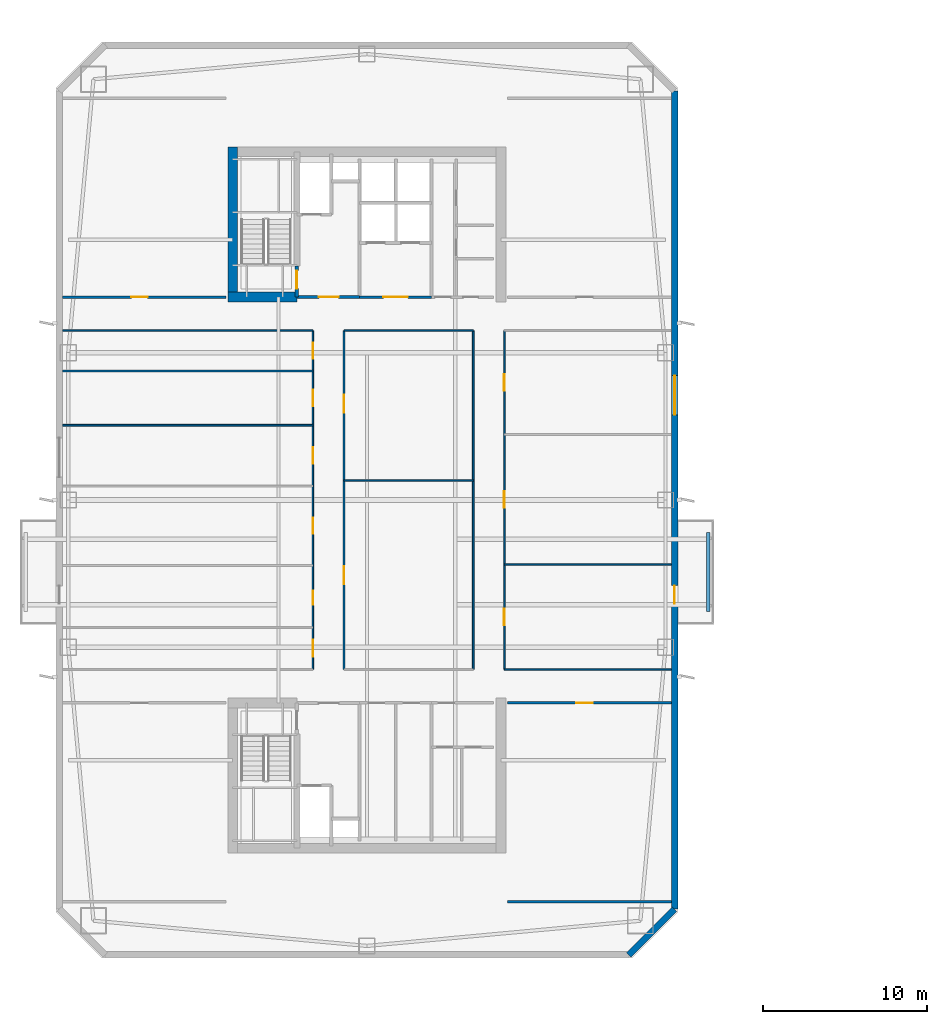
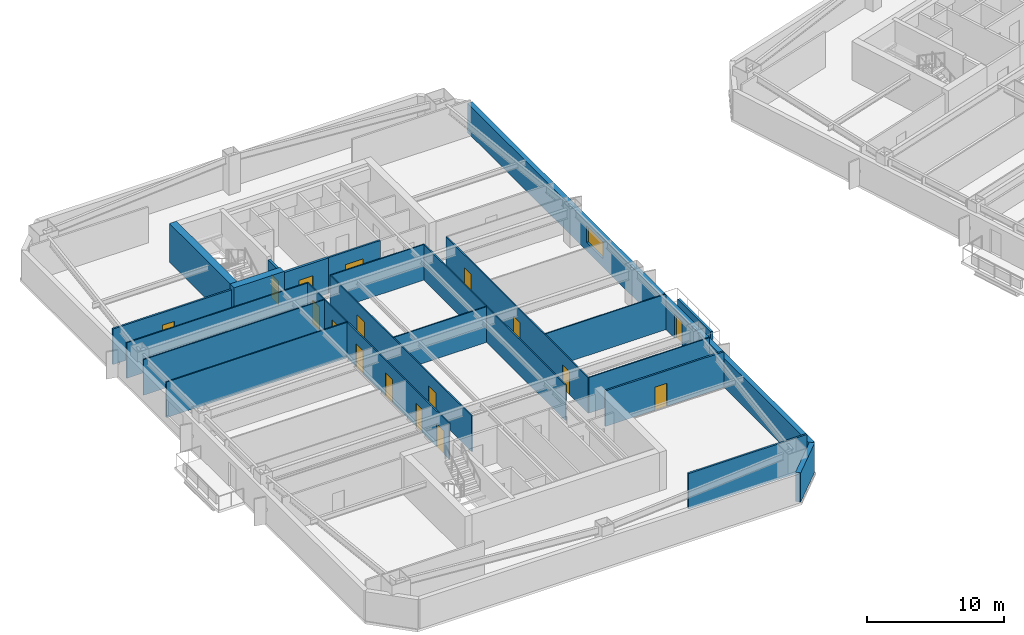
# One storey, part 5 of 16: 22 walls, 17 doors, 1 window, 18 openings.
"""IFC4 building model written with IfcOpenShell, lengths in metres."""

from ifc_helpers import new_model, si_unit, direction, frame, frame_2d, origin, place, context, subcontext, project, spatial, rectangle, extrude, material, layer, layer_set, type_object, element, fill, save


model = new_model("IFC4")

# Units and contexts
model_context = context("Model", 3, precision=1e-05, world=origin(), true_north=direction((0.0, 1.0)))
body_context = subcontext(model_context, "Body", "Model", "MODEL_VIEW")
ifc_project = project(units=[si_unit("LENGTHUNIT", "METRE"), si_unit("AREAUNIT", "SQUARE_METRE"), si_unit("VOLUMEUNIT", "CUBIC_METRE"), si_unit("PLANEANGLEUNIT", "RADIAN"), si_unit("MASSUNIT", "GRAM", prefix="KILO")], contexts=[model_context])

# Site, building, storey
site_placement = place(None, origin())
site = spatial("IfcSite", under=ifc_project, at=site_placement, CompositionType="ELEMENT")
building_placement = place(site_placement, origin())
building = spatial("IfcBuilding", under=site, at=building_placement, Name="Qiaolan Cultural Towers", CompositionType="ELEMENT")
storey_placement = place(building_placement, frame((0.0, 0.0, 110.39990234375)))
storey = spatial("IfcBuildingStorey", under=building, at=storey_placement, Name="L28", CompositionType="ELEMENT", Elevation=110.39990234375)

# Walls
ifc_material_1 = material(Name="Concrete C55", Category="concrete")
ifc_layer_1 = layer(ifc_material_1, 0.60009765625)
ifc_layer_set_1 = layer_set([ifc_layer_1], Name="Concrete C55")
wall_type_1 = type_object("IfcWallType", Name="WL-CORE-600", PredefinedType="SHEAR", material=ifc_layer_set_1)
wall_1_placement = place(storey_placement, frame((21.800048828125, 46.10009765625, 0.0), z_axis=(0.0, 0.0, 1.0), x_axis=(0.0, 1.0, 0.0)))
element("IfcWall", 1, at=wall_1_placement, inside=storey, type_object=wall_type_1, Name="L28 T1-CN West Core Shear Wall", PredefinedType="SHEAR", context=body_context, shape_type="SweptSolid", body=[
    extrude(rectangle(XDim=9.47998046875, YDim=0.60009765625, at=frame_2d((4.739990234375, 0.0))), origin(), (0.0, 0.0, 1.0), 3.4501953125),
])
wall_2_placement = place(storey_placement, frame((21.5, 46.39990234375, 0.0), z_axis=(0.0, 0.0, 1.0), x_axis=(1.0, 0.0, 0.0)))
element("IfcWall", 2, at=wall_2_placement, inside=storey, type_object=wall_type_1, Name="L28 T1-CN Stair Front Shear Wall", PredefinedType="SHEAR", context=body_context, shape_type="SweptSolid", body=[
    extrude(rectangle(XDim=4.219970703125, YDim=0.60009765625, at=frame_2d((2.10986328125, 0.0))), origin(), (0.0, 0.0, 1.0), 3.4501953125),
])

# Wall, openings, door, window
ifc_material_2 = material(Name="Precast Concrete C50 Honed Stone Pier", Category="masonry")
ifc_layer_2 = layer(ifc_material_2, 0.39990234375)
ifc_layer_set_2 = layer_set([ifc_layer_2], Name="Precast Concrete C50 Honed Stone Pier")
wall_type_2 = type_object("IfcWallType", Name="WL-EXT-PIER-400", PredefinedType="SOLIDWALL", material=ifc_layer_set_2)
wall_3_placement = place(storey_placement, frame((48.800048828125, 59.0, 0.0), z_axis=(0.0, 0.0, 1.0), x_axis=(0.0, -1.0, 0.0)))
wall_3 = element("IfcWall", 3, at=wall_3_placement, inside=storey, type_object=wall_type_2, Name="L28 West Tower Precast Pier Facade Wall F5", PredefinedType="SOLIDWALL", context=body_context, shape_type="SweptSolid", body=[
    extrude(rectangle(XDim=50.0, YDim=0.39990234375, at=frame_2d((25.0, 0.0))), origin(), (0.0, 0.0, 1.0), 2.610107421875),
])
opening_1_placement = place(wall_3_placement, frame((17.39990234375, 0.0, 0.75)))
opening_1 = element("IfcOpeningElement", 4, at=opening_1_placement, cuts=wall_3, Name="Opening W-02", PredefinedType="OPENING", context=body_context, shape_type="SweptSolid", body=[
    extrude(rectangle(XDim=2.39990234375, YDim=1.4599609375, at=frame_2d((1.199951171875, 0.72998046875))), frame((0.0, 0.2099609375, 0.0), z_axis=(0.0, -1.0, 0.0), x_axis=(1.0, 0.0, 0.0)), (0.0, 0.0, 1.0), 0.419921875),
])
opening_2_placement = place(wall_3_placement, frame((30.2255859375, 0.0, 0.0)))
opening_2 = element("IfcOpeningElement", 5, at=opening_2_placement, cuts=wall_3, Name="Opening BD-01", PredefinedType="OPENING", context=body_context, shape_type="SweptSolid", body=[
    extrude(rectangle(XDim=1.10009765625, YDim=2.14990234375, at=frame_2d((0.550048828125, 1.074951171875))), frame((0.0, 0.2099609375, 0.0), z_axis=(0.0, -1.0, 0.0), x_axis=(1.0, 0.0, 0.0)), (0.0, 0.0, 1.0), 0.419921875),
])
ifc_material_3 = material(Name="Thermally Broken Aluminium Glazed Terrace Door", Category="aluminium")
door_type_1 = type_object("IfcDoorType", Name="DR-BAL-1100", OperationType="NOTDEFINED", PredefinedType="DOOR", material=ifc_material_3)
door_1_placement = place(opening_2_placement, origin())
door_1 = element("IfcDoor", 6, at=door_1_placement, inside=storey, type_object=door_type_1, Name="L28 T1 East Tree Balcony Door", OperationType="SINGLE_SWING_RIGHT", OverallHeight=2.14990234375, OverallWidth=1.10009765625, PredefinedType="DOOR", context=body_context, shape_type="SweptSolid", body=[
    extrude(rectangle(XDim=1.10009765625, YDim=2.14990234375, at=frame_2d((0.550048828125, 1.074951171875))), frame((0.0, 0.02490234375, 0.0), z_axis=(0.0, -1.0, 0.0), x_axis=(1.0, 0.0, 0.0)), (0.0, 0.0, 1.0), 0.050048828125),
])
fill(opening_2, door_1)
ifc_material_4 = material(Name="Thermally Broken Aluminium Triple Low-E Glazing", Category="aluminium")
window_type = type_object("IfcWindowType", Name="WN-CHIC-2400", PartitioningType="SINGLE_PANEL", PredefinedType="WINDOW", material=ifc_material_4)
window_placement = place(opening_1_placement, origin())
window = element("IfcWindow", 7, at=window_placement, inside=storey, type_object=window_type, Name="L28 T1 E Chicago Bay Window 1", OverallHeight=1.4599609375, OverallWidth=2.39990234375, PartitioningType="TRIPLE_PANEL_VERTICAL", PredefinedType="WINDOW", context=body_context, shape_type="SweptSolid", body=[
    extrude(rectangle(XDim=2.39990234375, YDim=1.4599609375, at=frame_2d((1.199951171875, 0.72998046875))), frame((0.0, 0.030029296875, 0.0), z_axis=(0.0, -1.0, 0.0), x_axis=(1.0, 0.0, 0.0)), (0.0, 0.0, 1.0), 0.06005859375),
])
fill(opening_1, window)

# Wall
wall_4_placement = place(storey_placement, frame((48.800048828125, 9.0, 0.0), z_axis=(0.0, 0.0, 1.0), x_axis=(-0.707106781187, -0.707106781187, 0.0)))
element("IfcWall", 8, at=wall_4_placement, inside=storey, type_object=wall_type_2, Name="L28 West Tower Precast Pier Facade Wall F6", PredefinedType="SOLIDWALL", context=body_context, shape_type="SweptSolid", body=[
    extrude(rectangle(XDim=3.9599609375, YDim=0.39990234375, at=frame_2d((1.97998046875, 0.0))), origin(), (0.0, 0.0, 1.0), 2.610107421875),
])

# Wall, opening, door
ifc_material_5 = material(Name="Concrete C35 Fire Wall", Category="concrete")
ifc_layer_3 = layer(ifc_material_5, 0.199951171875)
ifc_layer_set_3 = layer_set([ifc_layer_3], Name="Concrete C35 Fire Wall")
wall_type_3 = type_object("IfcWallType", Name="WL-FIRE-200", PredefinedType="PARTITIONING", material=ifc_layer_set_3)
wall_5_placement = place(storey_placement, frame((25.719970703125, 46.39990234375, 0.0), z_axis=(0.0, 0.0, 1.0), x_axis=(0.0, 1.0, 0.0)))
wall_5 = element("IfcWall", 9, at=wall_5_placement, inside=storey, type_object=wall_type_3, Name="L28 T1-CN Smokeproof Stair Entry Wall", PredefinedType="PARTITIONING", context=body_context, shape_type="SweptSolid", body=[
    extrude(rectangle(XDim=1.900146484375, YDim=0.199951171875, at=frame_2d((0.9501953125, 0.0))), origin(), (0.0, 0.0, 1.0), 3.175048828125),
])
opening_3_placement = place(wall_5_placement, frame((0.52001953125, 0.0, 0.0)))
opening_3 = element("IfcOpeningElement", 10, at=opening_3_placement, cuts=wall_5, Name="Opening FD-04", PredefinedType="OPENING", context=body_context, shape_type="SweptSolid", body=[
    extrude(rectangle(XDim=1.10009765625, YDim=2.050048828125, at=frame_2d((0.550048828125, 1.02490234375))), frame((0.0, 0.10986328125, 0.0), z_axis=(0.0, -1.0, 0.0), x_axis=(1.0, 0.0, 0.0)), (0.0, 0.0, 1.0), 0.219970703125),
])
ifc_material_6 = material(Name="Galvanized Steel Command Fire Door", Category="steel")
door_type_2 = type_object("IfcDoorType", Name="DR-FD90-1100", OperationType="NOTDEFINED", PredefinedType="DOOR", material=ifc_material_6)
door_2_placement = place(opening_3_placement, origin())
door_2 = element("IfcDoor", 11, at=door_2_placement, inside=storey, type_object=door_type_2, Name="L28 ST-W2 Smokeproof Stair Fire Door", OperationType="SINGLE_SWING_LEFT", OverallHeight=2.050048828125, OverallWidth=1.10009765625, PredefinedType="DOOR", context=body_context, shape_type="SweptSolid", body=[
    extrude(rectangle(XDim=1.10009765625, YDim=2.050048828125, at=frame_2d((0.550048828125, 1.02490234375))), frame((0.0, 0.02490234375, 0.0), z_axis=(0.0, -1.0, 0.0), x_axis=(1.0, 0.0, 0.0)), (0.0, 0.0, 1.0), 0.050048828125),
])
fill(opening_3, door_2)

wall_6_placement = place(storey_placement, frame((25.719970703125, 46.39990234375, 0.0), z_axis=(0.0, 0.0, 1.0), x_axis=(1.0, 0.0, 0.0)))
wall_6 = element("IfcWall", 12, at=wall_6_placement, inside=storey, type_object=wall_type_3, Name="L28 T1-CN Firefighting Lobby Front Wall", PredefinedType="PARTITIONING", context=body_context, shape_type="SweptSolid", body=[
    extrude(rectangle(XDim=3.830078125, YDim=0.199951171875, at=frame_2d((1.9150390625, 0.0))), origin(), (0.0, 0.0, 1.0), 3.175048828125),
])
opening_4_placement = place(wall_6_placement, frame((1.35009765625, 0.0, 0.0)))
opening_4 = element("IfcOpeningElement", 13, at=opening_4_placement, cuts=wall_6, Name="Opening FD-03", PredefinedType="OPENING", context=body_context, shape_type="SweptSolid", body=[
    extrude(rectangle(XDim=1.199951171875, YDim=2.050048828125, at=frame_2d((0.60009765625, 1.02490234375))), frame((0.0, 0.10986328125, 0.0), z_axis=(0.0, -1.0, 0.0), x_axis=(1.0, 0.0, 0.0)), (0.0, 0.0, 1.0), 0.219970703125),
])
ifc_material_7 = material(Name="Galvanized Steel Smokeproof Lobby Fire Door", Category="steel")
door_type_3 = type_object("IfcDoorType", Name="DR-FD90-1200", OperationType="NOTDEFINED", PredefinedType="DOOR", material=ifc_material_7)
door_3_placement = place(opening_4_placement, origin())
door_3 = element("IfcDoor", 14, at=door_3_placement, inside=storey, type_object=door_type_3, Name="L28 FFL-W2 Firefighting Lobby Fire Door", OperationType="SINGLE_SWING_LEFT", OverallHeight=2.050048828125, OverallWidth=1.199951171875, PredefinedType="DOOR", context=body_context, shape_type="SweptSolid", body=[
    extrude(rectangle(XDim=1.199951171875, YDim=2.050048828125, at=frame_2d((0.60009765625, 1.02490234375))), frame((0.0, 0.02490234375, 0.0), z_axis=(0.0, -1.0, 0.0), x_axis=(1.0, 0.0, 0.0)), (0.0, 0.0, 1.0), 0.050048828125),
])
fill(opening_4, door_3)

# Walls
ifc_material_8 = material(Name="Acoustic Double-Glazed Partition Frame", Category="glass")
ifc_layer_4 = layer(ifc_material_8, 0.10009765625)
ifc_layer_set_4 = layer_set([ifc_layer_4], Name="Acoustic Double-Glazed Partition Frame")
wall_type_4 = type_object("IfcWallType", Name="WL-GLAZED-100", PredefinedType="MOVABLE", material=ifc_layer_set_4)
wall_7_placement = place(storey_placement, frame((38.39990234375, 23.64990234375, 0.0), z_axis=(0.0, 0.0, 1.0), x_axis=(1.0, 0.0, 0.0)))
element("IfcWall", 15, at=wall_7_placement, inside=storey, type_object=wall_type_4, Name="L28 T1 Interior Wall", PredefinedType="MOVABLE", context=body_context, shape_type="SweptSolid", body=[
    extrude(rectangle(XDim=10.2001953125, YDim=0.10009765625, at=frame_2d((5.10009765625, 0.0))), origin(), (0.0, 0.0, 1.0), 3.175048828125),
])
wall_8_placement = place(storey_placement, frame((11.39990234375, 44.35009765625, 0.0), z_axis=(0.0, 0.0, 1.0), x_axis=(1.0, 0.0, 0.0)))
element("IfcWall", 16, at=wall_8_placement, inside=storey, type_object=wall_type_4, Name="L28 T1 Interior Wall", PredefinedType="MOVABLE", context=body_context, shape_type="SweptSolid", body=[
    extrude(rectangle(XDim=15.300048828125, YDim=0.10009765625, at=frame_2d((7.64990234375, 0.0))), origin(), (0.0, 0.0, 1.0), 3.175048828125),
])
wall_9_placement = place(storey_placement, frame((28.60009765625, 44.35009765625, 0.0), z_axis=(0.0, 0.0, 1.0), x_axis=(1.0, 0.0, 0.0)))
element("IfcWall", 17, at=wall_9_placement, inside=storey, type_object=wall_type_4, Name="L28 T1 Interior Wall", PredefinedType="MOVABLE", context=body_context, shape_type="SweptSolid", body=[
    extrude(rectangle(XDim=7.89990234375, YDim=0.10009765625, at=frame_2d((3.949951171875, 0.0))), origin(), (0.0, 0.0, 1.0), 3.175048828125),
])

# Wall, openings, doors
wall_10_placement = place(storey_placement, frame((26.699951171875, 23.64990234375, 0.0), z_axis=(0.0, 0.0, 1.0), x_axis=(0.0, 1.0, 0.0)))
wall_10 = element("IfcWall", 18, at=wall_10_placement, inside=storey, type_object=wall_type_4, Name="L28 T1 Interior Wall", PredefinedType="MOVABLE", context=body_context, shape_type="SweptSolid", body=[
    extrude(rectangle(XDim=20.7001953125, YDim=0.10009765625, at=frame_2d((10.35009765625, 0.0))), origin(), (0.0, 0.0, 1.0), 3.175048828125),
])
opening_5_placement = place(wall_10_placement, frame((0.77490234375, 0.0, 0.0)))
opening_5 = element("IfcOpeningElement", 19, at=opening_5_placement, cuts=wall_10, Name="Opening ID-07", PredefinedType="OPENING", context=body_context, shape_type="SweptSolid", body=[
    extrude(rectangle(XDim=1.050048828125, YDim=2.050048828125, at=frame_2d((0.52490234375, 1.02490234375))), frame((0.0, 0.06005859375, 0.0), z_axis=(0.0, -1.0, 0.0), x_axis=(1.0, 0.0, 0.0)), (0.0, 0.0, 1.0), 0.1201171875),
])
opening_6_placement = place(wall_10_placement, frame((3.949951171875, 0.0, 0.0)))
opening_6 = element("IfcOpeningElement", 20, at=opening_6_placement, cuts=wall_10, Name="Opening ID-09", PredefinedType="OPENING", context=body_context, shape_type="SweptSolid", body=[
    extrude(rectangle(XDim=0.85009765625, YDim=2.050048828125, at=frame_2d((0.425048828125, 1.02490234375))), frame((0.0, 0.06005859375, 0.0), z_axis=(0.0, -1.0, 0.0), x_axis=(1.0, 0.0, 0.0)), (0.0, 0.0, 1.0), 0.1201171875),
])
opening_7_placement = place(wall_10_placement, frame((8.27294921875, 0.0, 0.0)))
opening_7 = element("IfcOpeningElement", 21, at=opening_7_placement, cuts=wall_10, Name="Opening ID-04", PredefinedType="OPENING", context=body_context, shape_type="SweptSolid", body=[
    extrude(rectangle(XDim=1.0, YDim=2.050048828125, at=frame_2d((0.5, 1.02490234375))), frame((0.0, 0.06005859375, 0.0), z_axis=(0.0, -1.0, 0.0), x_axis=(1.0, 0.0, 0.0)), (0.0, 0.0, 1.0), 0.1201171875),
])
opening_8_placement = place(wall_10_placement, frame((12.55908203125, 0.0, 0.0)))
opening_8 = element("IfcOpeningElement", 22, at=opening_8_placement, cuts=wall_10, Name="Opening ID-04", PredefinedType="OPENING", context=body_context, shape_type="SweptSolid", body=[
    extrude(rectangle(XDim=1.0, YDim=2.050048828125, at=frame_2d((0.5, 1.02490234375))), frame((0.0, 0.06005859375, 0.0), z_axis=(0.0, -1.0, 0.0), x_axis=(1.0, 0.0, 0.0)), (0.0, 0.0, 1.0), 0.1201171875),
])
opening_9_placement = place(wall_10_placement, frame((16.077880859375, 0.0, 0.0)))
opening_9 = element("IfcOpeningElement", 23, at=opening_9_placement, cuts=wall_10, Name="Opening ID-04", PredefinedType="OPENING", context=body_context, shape_type="SweptSolid", body=[
    extrude(rectangle(XDim=1.0, YDim=2.050048828125, at=frame_2d((0.5, 1.02490234375))), frame((0.0, 0.06005859375, 0.0), z_axis=(0.0, -1.0, 0.0), x_axis=(1.0, 0.0, 0.0)), (0.0, 0.0, 1.0), 0.1201171875),
])
opening_10_placement = place(wall_10_placement, frame((18.967041015625, 0.0, 0.0)))
opening_10 = element("IfcOpeningElement", 24, at=opening_10_placement, cuts=wall_10, Name="Opening ID-04", PredefinedType="OPENING", context=body_context, shape_type="SweptSolid", body=[
    extrude(rectangle(XDim=1.0, YDim=2.050048828125, at=frame_2d((0.5, 1.02490234375))), frame((0.0, 0.06005859375, 0.0), z_axis=(0.0, -1.0, 0.0), x_axis=(1.0, 0.0, 0.0)), (0.0, 0.0, 1.0), 0.1201171875),
])
ifc_material_9 = material(Name="Oak Veneer Acoustic Office Door", Category="timber")
door_type_4 = type_object("IfcDoorType", Name="DR-INT-1000", OperationType="NOTDEFINED", PredefinedType="DOOR", material=ifc_material_9)
door_4_placement = place(opening_7_placement, origin())
door_4 = element("IfcDoor", 25, at=door_4_placement, inside=storey, type_object=door_type_4, Name="L28 T1 Advisory Office Door", OperationType="SINGLE_SWING_LEFT", OverallHeight=2.050048828125, OverallWidth=1.0, PredefinedType="DOOR", context=body_context, shape_type="SweptSolid", body=[
    extrude(rectangle(XDim=1.0, YDim=2.050048828125, at=frame_2d((0.5, 1.02490234375))), frame((0.0, 0.02490234375, 0.0), z_axis=(0.0, -1.0, 0.0), x_axis=(1.0, 0.0, 0.0)), (0.0, 0.0, 1.0), 0.050048828125),
])
fill(opening_7, door_4)
door_5_placement = place(opening_8_placement, origin())
door_5 = element("IfcDoor", 26, at=door_5_placement, inside=storey, type_object=door_type_4, Name="L28 T1 Advisory Office Door", OperationType="SINGLE_SWING_RIGHT", OverallHeight=2.050048828125, OverallWidth=1.0, PredefinedType="DOOR", context=body_context, shape_type="SweptSolid", body=[
    extrude(rectangle(XDim=1.0, YDim=2.050048828125, at=frame_2d((0.5, 1.02490234375))), frame((0.0, 0.02490234375, 0.0), z_axis=(0.0, -1.0, 0.0), x_axis=(1.0, 0.0, 0.0)), (0.0, 0.0, 1.0), 0.050048828125),
])
fill(opening_8, door_5)
door_6_placement = place(opening_9_placement, origin())
door_6 = element("IfcDoor", 27, at=door_6_placement, inside=storey, type_object=door_type_4, Name="L28 T1 Advisory Office Door", OperationType="SINGLE_SWING_LEFT", OverallHeight=2.050048828125, OverallWidth=1.0, PredefinedType="DOOR", context=body_context, shape_type="SweptSolid", body=[
    extrude(rectangle(XDim=1.0, YDim=2.050048828125, at=frame_2d((0.5, 1.02490234375))), frame((0.0, 0.02490234375, 0.0), z_axis=(0.0, -1.0, 0.0), x_axis=(1.0, 0.0, 0.0)), (0.0, 0.0, 1.0), 0.050048828125),
])
fill(opening_9, door_6)
door_7_placement = place(opening_10_placement, origin())
door_7 = element("IfcDoor", 28, at=door_7_placement, inside=storey, type_object=door_type_4, Name="L28 T1 Advisory Office Door", OperationType="SINGLE_SWING_RIGHT", OverallHeight=2.050048828125, OverallWidth=1.0, PredefinedType="DOOR", context=body_context, shape_type="SweptSolid", body=[
    extrude(rectangle(XDim=1.0, YDim=2.050048828125, at=frame_2d((0.5, 1.02490234375))), frame((0.0, 0.02490234375, 0.0), z_axis=(0.0, -1.0, 0.0), x_axis=(1.0, 0.0, 0.0)), (0.0, 0.0, 1.0), 0.050048828125),
])
fill(opening_10, door_7)
ifc_material_10 = material(Name="Oak Veneer Consultation Door", Category="timber")
door_type_5 = type_object("IfcDoorType", Name="DR-INT-1050", OperationType="NOTDEFINED", PredefinedType="DOOR", material=ifc_material_10)
door_8_placement = place(opening_5_placement, origin())
door_8 = element("IfcDoor", 29, at=door_8_placement, inside=storey, type_object=door_type_5, Name="L28 T1 Advisory Office Door", OperationType="SINGLE_SWING_LEFT", OverallHeight=2.050048828125, OverallWidth=1.050048828125, PredefinedType="DOOR", context=body_context, shape_type="SweptSolid", body=[
    extrude(rectangle(XDim=1.050048828125, YDim=2.050048828125, at=frame_2d((0.52490234375, 1.02490234375))), frame((0.0, 0.02490234375, 0.0), z_axis=(0.0, -1.0, 0.0), x_axis=(1.0, 0.0, 0.0)), (0.0, 0.0, 1.0), 0.050048828125),
])
fill(opening_5, door_8)
ifc_material_11 = material(Name="Moisture-Resistant Laminate Utility Door", Category="timber")
door_type_6 = type_object("IfcDoorType", Name="DR-INT-850", OperationType="NOTDEFINED", PredefinedType="DOOR", material=ifc_material_11)
door_9_placement = place(opening_6_placement, origin())
door_9 = element("IfcDoor", 30, at=door_9_placement, inside=storey, type_object=door_type_6, Name="L28 T1 Advisory Office Door", OperationType="SINGLE_SWING_RIGHT", OverallHeight=2.050048828125, OverallWidth=0.85009765625, PredefinedType="DOOR", context=body_context, shape_type="SweptSolid", body=[
    extrude(rectangle(XDim=0.85009765625, YDim=2.050048828125, at=frame_2d((0.425048828125, 1.02490234375))), frame((0.0, 0.02490234375, 0.0), z_axis=(0.0, -1.0, 0.0), x_axis=(1.0, 0.0, 0.0)), (0.0, 0.0, 1.0), 0.050048828125),
])
fill(opening_6, door_9)

wall_11_placement = place(storey_placement, frame((28.60009765625, 23.64990234375, 0.0), z_axis=(0.0, 0.0, 1.0), x_axis=(0.0, 1.0, 0.0)))
wall_11 = element("IfcWall", 31, at=wall_11_placement, inside=storey, type_object=wall_type_4, Name="L28 T1 Interior Wall", PredefinedType="MOVABLE", context=body_context, shape_type="SweptSolid", body=[
    extrude(rectangle(XDim=20.7001953125, YDim=0.10009765625, at=frame_2d((10.35009765625, 0.0))), origin(), (0.0, 0.0, 1.0), 3.175048828125),
])
opening_11_placement = place(wall_11_placement, frame((5.197509765625, 0.0, 0.0)))
opening_11 = element("IfcOpeningElement", 32, at=opening_11_placement, cuts=wall_11, Name="Opening ID-03", PredefinedType="OPENING", context=body_context, shape_type="SweptSolid", body=[
    extrude(rectangle(XDim=1.10009765625, YDim=2.050048828125, at=frame_2d((0.550048828125, 1.02490234375))), frame((0.0, 0.06005859375, 0.0), z_axis=(0.0, -1.0, 0.0), x_axis=(1.0, 0.0, 0.0)), (0.0, 0.0, 1.0), 0.1201171875),
])
opening_12_placement = place(wall_11_placement, frame((15.66748046875, 0.0, 0.0)))
opening_12 = element("IfcOpeningElement", 33, at=opening_12_placement, cuts=wall_11, Name="Opening ID-03", PredefinedType="OPENING", context=body_context, shape_type="SweptSolid", body=[
    extrude(rectangle(XDim=1.10009765625, YDim=2.050048828125, at=frame_2d((0.550048828125, 1.02490234375))), frame((0.0, 0.06005859375, 0.0), z_axis=(0.0, -1.0, 0.0), x_axis=(1.0, 0.0, 0.0)), (0.0, 0.0, 1.0), 0.1201171875),
])
ifc_material_12 = material(Name="Oak Veneer Solid-Core Boardroom Door", Category="timber")
door_type_7 = type_object("IfcDoorType", Name="DR-INT-1100", OperationType="NOTDEFINED", PredefinedType="DOOR", material=ifc_material_12)
door_10_placement = place(opening_11_placement, origin())
door_10 = element("IfcDoor", 34, at=door_10_placement, inside=storey, type_object=door_type_7, Name="L28 T1 Central Boardroom Door", OperationType="SINGLE_SWING_LEFT", OverallHeight=2.050048828125, OverallWidth=1.10009765625, PredefinedType="DOOR", context=body_context, shape_type="SweptSolid", body=[
    extrude(rectangle(XDim=1.10009765625, YDim=2.050048828125, at=frame_2d((0.550048828125, 1.02490234375))), frame((0.0, 0.02490234375, 0.0), z_axis=(0.0, -1.0, 0.0), x_axis=(1.0, 0.0, 0.0)), (0.0, 0.0, 1.0), 0.050048828125),
])
fill(opening_11, door_10)
door_11_placement = place(opening_12_placement, origin())
door_11 = element("IfcDoor", 35, at=door_11_placement, inside=storey, type_object=door_type_7, Name="L28 T1 Central Archive Salon Door", OperationType="SINGLE_SWING_RIGHT", OverallHeight=2.050048828125, OverallWidth=1.10009765625, PredefinedType="DOOR", context=body_context, shape_type="SweptSolid", body=[
    extrude(rectangle(XDim=1.10009765625, YDim=2.050048828125, at=frame_2d((0.550048828125, 1.02490234375))), frame((0.0, 0.02490234375, 0.0), z_axis=(0.0, -1.0, 0.0), x_axis=(1.0, 0.0, 0.0)), (0.0, 0.0, 1.0), 0.050048828125),
])
fill(opening_12, door_11)

# Wall
wall_12_placement = place(storey_placement, frame((36.5, 23.64990234375, 0.0), z_axis=(0.0, 0.0, 1.0), x_axis=(0.0, 1.0, 0.0)))
element("IfcWall", 36, at=wall_12_placement, inside=storey, type_object=wall_type_4, Name="L28 T1 Interior Wall", PredefinedType="MOVABLE", context=body_context, shape_type="SweptSolid", body=[
    extrude(rectangle(XDim=20.7001953125, YDim=0.10009765625, at=frame_2d((10.35009765625, 0.0))), origin(), (0.0, 0.0, 1.0), 3.175048828125),
])

# Wall, openings, doors
wall_13_placement = place(storey_placement, frame((38.39990234375, 23.64990234375, 0.0), z_axis=(0.0, 0.0, 1.0), x_axis=(0.0, 1.0, 0.0)))
wall_13 = element("IfcWall", 37, at=wall_13_placement, inside=storey, type_object=wall_type_4, Name="L28 T1 Interior Wall", PredefinedType="MOVABLE", context=body_context, shape_type="SweptSolid", body=[
    extrude(rectangle(XDim=20.7001953125, YDim=0.10009765625, at=frame_2d((10.35009765625, 0.0))), origin(), (0.0, 0.0, 1.0), 3.175048828125),
])
opening_13_placement = place(wall_13_placement, frame((2.699462890625, 0.0, 0.0)))
opening_13 = element("IfcOpeningElement", 38, at=opening_13_placement, cuts=wall_13, Name="Opening ID-04", PredefinedType="OPENING", context=body_context, shape_type="SweptSolid", body=[
    extrude(rectangle(XDim=1.0, YDim=2.050048828125, at=frame_2d((0.5, 1.02490234375))), frame((0.0, 0.06005859375, 0.0), z_axis=(0.0, -1.0, 0.0), x_axis=(1.0, 0.0, 0.0)), (0.0, 0.0, 1.0), 0.1201171875),
])
opening_14_placement = place(wall_13_placement, frame((9.87451171875, 0.0, 0.0)))
opening_14 = element("IfcOpeningElement", 39, at=opening_14_placement, cuts=wall_13, Name="Opening ID-04", PredefinedType="OPENING", context=body_context, shape_type="SweptSolid", body=[
    extrude(rectangle(XDim=1.0, YDim=2.050048828125, at=frame_2d((0.5, 1.02490234375))), frame((0.0, 0.06005859375, 0.0), z_axis=(0.0, -1.0, 0.0), x_axis=(1.0, 0.0, 0.0)), (0.0, 0.0, 1.0), 0.1201171875),
])
opening_15_placement = place(wall_13_placement, frame((17.02490234375, 0.0, 0.0)))
opening_15 = element("IfcOpeningElement", 40, at=opening_15_placement, cuts=wall_13, Name="Opening ID-04", PredefinedType="OPENING", context=body_context, shape_type="SweptSolid", body=[
    extrude(rectangle(XDim=1.0, YDim=2.050048828125, at=frame_2d((0.5, 1.02490234375))), frame((0.0, 0.06005859375, 0.0), z_axis=(0.0, -1.0, 0.0), x_axis=(1.0, 0.0, 0.0)), (0.0, 0.0, 1.0), 0.1201171875),
])
door_12_placement = place(opening_13_placement, origin())
door_12 = element("IfcDoor", 41, at=door_12_placement, inside=storey, type_object=door_type_4, Name="L28 T1 Client Boardroom Door", OperationType="SINGLE_SWING_RIGHT", OverallHeight=2.050048828125, OverallWidth=1.0, PredefinedType="DOOR", context=body_context, shape_type="SweptSolid", body=[
    extrude(rectangle(XDim=1.0, YDim=2.050048828125, at=frame_2d((0.5, 1.02490234375))), frame((0.0, 0.02490234375, 0.0), z_axis=(0.0, -1.0, 0.0), x_axis=(1.0, 0.0, 0.0)), (0.0, 0.0, 1.0), 0.050048828125),
])
fill(opening_13, door_12)
door_13_placement = place(opening_14_placement, origin())
door_13 = element("IfcDoor", 42, at=door_13_placement, inside=storey, type_object=door_type_4, Name="L28 T1 Client Boardroom Door", OperationType="SINGLE_SWING_LEFT", OverallHeight=2.050048828125, OverallWidth=1.0, PredefinedType="DOOR", context=body_context, shape_type="SweptSolid", body=[
    extrude(rectangle(XDim=1.0, YDim=2.050048828125, at=frame_2d((0.5, 1.02490234375))), frame((0.0, 0.02490234375, 0.0), z_axis=(0.0, -1.0, 0.0), x_axis=(1.0, 0.0, 0.0)), (0.0, 0.0, 1.0), 0.050048828125),
])
fill(opening_14, door_13)
door_14_placement = place(opening_15_placement, origin())
door_14 = element("IfcDoor", 43, at=door_14_placement, inside=storey, type_object=door_type_4, Name="L28 T1 Reception Lounge Door", OperationType="SINGLE_SWING_RIGHT", OverallHeight=2.050048828125, OverallWidth=1.0, PredefinedType="DOOR", context=body_context, shape_type="SweptSolid", body=[
    extrude(rectangle(XDim=1.0, YDim=2.050048828125, at=frame_2d((0.5, 1.02490234375))), frame((0.0, 0.02490234375, 0.0), z_axis=(0.0, -1.0, 0.0), x_axis=(1.0, 0.0, 0.0)), (0.0, 0.0, 1.0), 0.050048828125),
])
fill(opening_15, door_14)

# Walls
wall_14_placement = place(storey_placement, frame((28.60009765625, 35.199951171875, 0.0), z_axis=(0.0, 0.0, 1.0), x_axis=(1.0, 0.0, 0.0)))
element("IfcWall", 44, at=wall_14_placement, inside=storey, type_object=wall_type_4, Name="L28 T1 Interior Wall", PredefinedType="MOVABLE", context=body_context, shape_type="SweptSolid", body=[
    extrude(rectangle(XDim=7.89990234375, YDim=0.10009765625, at=frame_2d((3.949951171875, 0.0))), origin(), (0.0, 0.0, 1.0), 3.175048828125),
])
for number, where, z_axis, x_axis, name in (
    (45, (11.39990234375, 38.572021484375, 0.0), (0.0, 0.0, 1.0), (1.0, 0.0, 0.0), "L28 T1 Interior Wall"),
    (46, (11.39990234375, 41.884033203125, 0.0), (0.0, 0.0, 1.0), (1.0, 0.0, 0.0), "L28 T1 Interior Wall"),
):
    element("IfcWall", number, at=place(storey_placement, frame(where, z_axis=z_axis, x_axis=x_axis)), inside=storey, type_object=wall_type_4, Name=name, PredefinedType="MOVABLE", context=body_context, shape_type="SweptSolid", body=[
        extrude(rectangle(XDim=15.300048828125, YDim=0.10009765625, at=frame_2d((7.64990234375, 0.0))), origin(), (0.0, 0.0, 1.0), 3.175048828125),
    ])
wall_15_placement = place(storey_placement, frame((38.39990234375, 30.049072265625, 0.0), z_axis=(0.0, 0.0, 1.0), x_axis=(1.0, 0.0, 0.0)))
element("IfcWall", 47, at=wall_15_placement, inside=storey, type_object=wall_type_4, Name="L28 T1 Interior Wall", PredefinedType="MOVABLE", context=body_context, shape_type="SweptSolid", body=[
    extrude(rectangle(XDim=10.2001953125, YDim=0.10009765625, at=frame_2d((5.10009765625, 0.0))), origin(), (0.0, 0.0, 1.0), 3.175048828125),
])

# Wall, opening, door
ifc_material_13 = material(Name="Autoclaved Aerated Concrete Block B06", Category="concrete")
ifc_layer_5 = layer(ifc_material_13, 0.14990234375)
ifc_layer_set_5 = layer_set([ifc_layer_5], Name="Autoclaved Aerated Concrete Block B06")
wall_type_5 = type_object("IfcWallType", Name="WL-PART-150", PredefinedType="PARTITIONING", material=ifc_layer_set_5)
wall_16_placement = place(storey_placement, frame((29.550048828125, 46.39990234375, 0.0), z_axis=(0.0, 0.0, 1.0), x_axis=(1.0, 0.0, 0.0)))
wall_16 = element("IfcWall", 48, at=wall_16_placement, inside=storey, type_object=wall_type_5, Name="L28 T1-CN Passenger Lift Lobby Front Wall", PredefinedType="PARTITIONING", context=body_context, shape_type="SweptSolid", body=[
    extrude(rectangle(XDim=4.39990234375, YDim=0.14990234375, at=frame_2d((2.199951171875, 0.0))), origin(), (0.0, 0.0, 1.0), 3.175048828125),
])
opening_16_placement = place(wall_16_placement, frame((1.449951171875, 0.0, 0.0)))
opening_16 = element("IfcOpeningElement", 49, at=opening_16_placement, cuts=wall_16, Name="Opening FD-05", PredefinedType="OPENING", context=body_context, shape_type="SweptSolid", body=[
    extrude(rectangle(XDim=1.5, YDim=2.050048828125, at=frame_2d((0.75, 1.02490234375))), frame((0.0, 0.0849609375, 0.0), z_axis=(0.0, -1.0, 0.0), x_axis=(1.0, 0.0, 0.0)), (0.0, 0.0, 1.0), 0.169921875),
])
ifc_material_14 = material(Name="Painted Steel Lift Lobby Fire Door", Category="steel")
door_type_8 = type_object("IfcDoorType", Name="DR-FD60-1500", OperationType="NOTDEFINED", PredefinedType="DOOR", material=ifc_material_14)
door_15_placement = place(opening_16_placement, origin())
door_15 = element("IfcDoor", 50, at=door_15_placement, inside=storey, type_object=door_type_8, Name="L28 Passenger Lift Lobby Entrance", OperationType="SINGLE_SWING_LEFT", OverallHeight=2.050048828125, OverallWidth=1.5, PredefinedType="DOOR", context=body_context, shape_type="SweptSolid", body=[
    extrude(rectangle(XDim=1.5, YDim=2.050048828125, at=frame_2d((0.75, 1.02490234375))), frame((0.0, 0.02490234375, 0.0), z_axis=(0.0, -1.0, 0.0), x_axis=(1.0, 0.0, 0.0)), (0.0, 0.0, 1.0), 0.050048828125),
])
fill(opening_16, door_15)

# Wall
wall_17_placement = place(storey_placement, frame((38.60009765625, 9.449951171875, 0.0), z_axis=(0.0, 0.0, 1.0), x_axis=(1.0, 0.0, 0.0)))
element("IfcWall", 51, at=wall_17_placement, inside=storey, type_object=wall_type_5, Name="L28 T1 Flank Wall FLK-SE", PredefinedType="PARTITIONING", context=body_context, shape_type="SweptSolid", body=[
    extrude(rectangle(XDim=10.0, YDim=0.14990234375, at=frame_2d((5.0, 0.0))), origin(), (0.0, 0.0, 1.0), 3.175048828125),
])

# Wall, opening, door
wall_18_placement = place(storey_placement, frame((38.60009765625, 21.60009765625, 0.0), z_axis=(0.0, 0.0, 1.0), x_axis=(1.0, 0.0, 0.0)))
wall_18 = element("IfcWall", 52, at=wall_18_placement, inside=storey, type_object=wall_type_5, Name="L28 T1 Flank Front FLK-SE", PredefinedType="PARTITIONING", context=body_context, shape_type="SweptSolid", body=[
    extrude(rectangle(XDim=10.0, YDim=0.14990234375, at=frame_2d((5.0, 0.0))), origin(), (0.0, 0.0, 1.0), 3.175048828125),
])
opening_17_placement = place(wall_18_placement, frame((4.199951171875, 0.0, 0.0)))
opening_17 = element("IfcOpeningElement", 53, at=opening_17_placement, cuts=wall_18, Name="Opening ID-04", PredefinedType="OPENING", context=body_context, shape_type="SweptSolid", body=[
    extrude(rectangle(XDim=1.0, YDim=2.050048828125, at=frame_2d((0.5, 1.02490234375))), frame((0.0, 0.0849609375, 0.0), z_axis=(0.0, -1.0, 0.0), x_axis=(1.0, 0.0, 0.0)), (0.0, 0.0, 1.0), 0.169921875),
])
door_16_placement = place(opening_17_placement, origin())
door_16 = element("IfcDoor", 54, at=door_16_placement, inside=storey, type_object=door_type_4, Name="L28 T1 Corner Studio Door", OperationType="SINGLE_SWING_LEFT", OverallHeight=2.050048828125, OverallWidth=1.0, PredefinedType="DOOR", context=body_context, shape_type="SweptSolid", body=[
    extrude(rectangle(XDim=1.0, YDim=2.050048828125, at=frame_2d((0.5, 1.02490234375))), frame((0.0, 0.02490234375, 0.0), z_axis=(0.0, -1.0, 0.0), x_axis=(1.0, 0.0, 0.0)), (0.0, 0.0, 1.0), 0.050048828125),
])
fill(opening_17, door_16)

wall_19_placement = place(storey_placement, frame((11.39990234375, 46.39990234375, 0.0), z_axis=(0.0, 0.0, 1.0), x_axis=(1.0, 0.0, 0.0)))
wall_19 = element("IfcWall", 55, at=wall_19_placement, inside=storey, type_object=wall_type_5, Name="L28 T1 Flank Front FLK-NW", PredefinedType="PARTITIONING", context=body_context, shape_type="SweptSolid", body=[
    extrude(rectangle(XDim=10.0, YDim=0.14990234375, at=frame_2d((5.0, 0.0))), origin(), (0.0, 0.0, 1.0), 3.175048828125),
])
opening_18_placement = place(wall_19_placement, frame((4.199951171875, 0.0, 0.0)))
opening_18 = element("IfcOpeningElement", 56, at=opening_18_placement, cuts=wall_19, Name="Opening ID-04", PredefinedType="OPENING", context=body_context, shape_type="SweptSolid", body=[
    extrude(rectangle(XDim=1.0, YDim=2.050048828125, at=frame_2d((0.5, 1.02490234375))), frame((0.0, 0.0849609375, 0.0), z_axis=(0.0, -1.0, 0.0), x_axis=(1.0, 0.0, 0.0)), (0.0, 0.0, 1.0), 0.169921875),
])
door_17_placement = place(opening_18_placement, origin())
door_17 = element("IfcDoor", 57, at=door_17_placement, inside=storey, type_object=door_type_4, Name="L28 T1 Corner Studio Door", OperationType="SINGLE_SWING_LEFT", OverallHeight=2.050048828125, OverallWidth=1.0, PredefinedType="DOOR", context=body_context, shape_type="SweptSolid", body=[
    extrude(rectangle(XDim=1.0, YDim=2.050048828125, at=frame_2d((0.5, 1.02490234375))), frame((0.0, 0.02490234375, 0.0), z_axis=(0.0, -1.0, 0.0), x_axis=(1.0, 0.0, 0.0)), (0.0, 0.0, 1.0), 0.050048828125),
])
fill(opening_18, door_17)

# Wall
ifc_material_15 = material(Name="Precast Concrete C45 Tree Planter Upstand", Category="concrete")
ifc_layer_6 = layer(ifc_material_15, 0.199951171875)
ifc_layer_set_6 = layer_set([ifc_layer_6], Name="Precast Concrete C45 Tree Planter Upstand")
wall_type_6 = type_object("IfcWallType", Name="WL-PLANTER-200", PredefinedType="PARAPET", material=ifc_layer_set_6)
wall_20_placement = place(storey_placement, frame((50.85009765625, 27.199951171875, 0.0), z_axis=(0.0, 0.0, 1.0), x_axis=(0.0, 1.0, 0.0)))
element("IfcWall", 58, at=wall_20_placement, inside=storey, type_object=wall_type_6, Name="L28 T1 Tree Balcony Soil Planter Box E", PredefinedType="PARAPET", context=body_context, shape_type="SweptSolid", body=[
    extrude(rectangle(XDim=4.800048828125, YDim=0.199951171875, at=frame_2d((2.39990234375, 0.0))), origin(), (0.0, 0.0, 1.0), 0.75),
])

save(model, "model.ifc")
